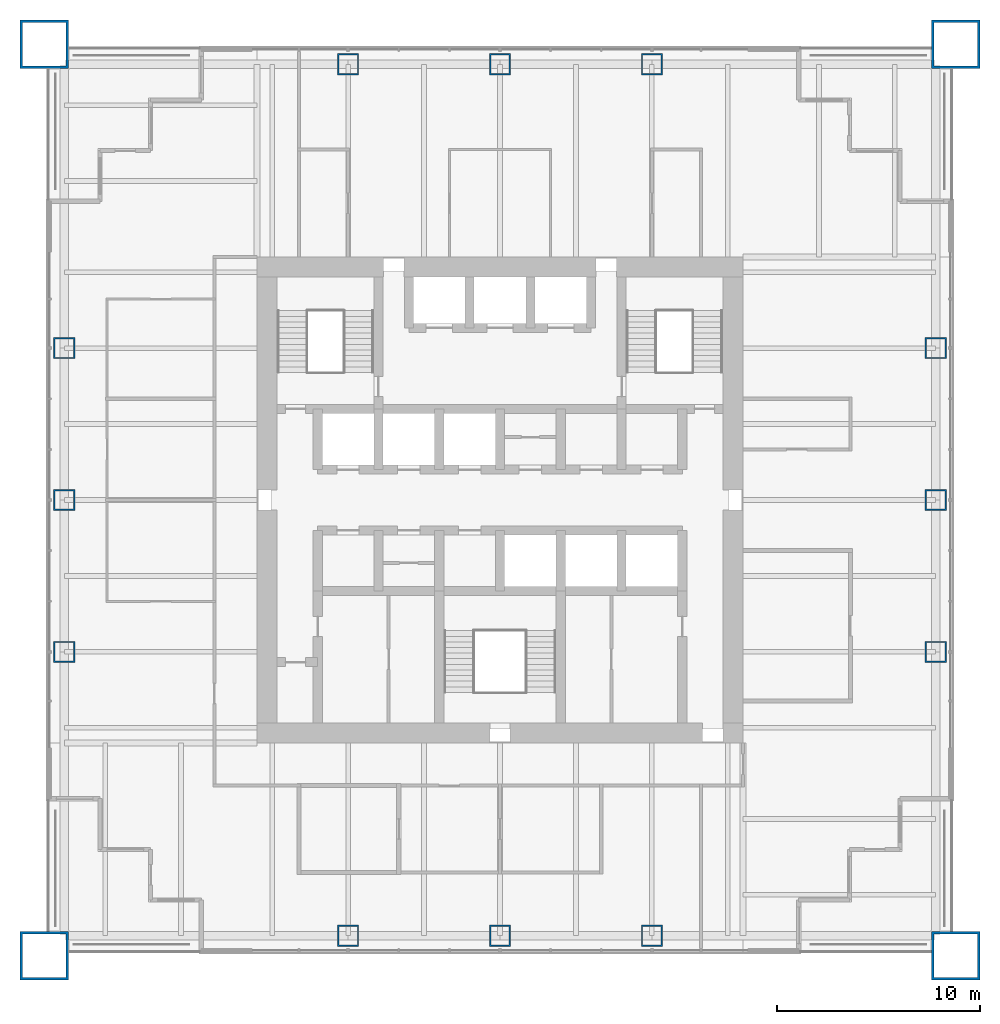
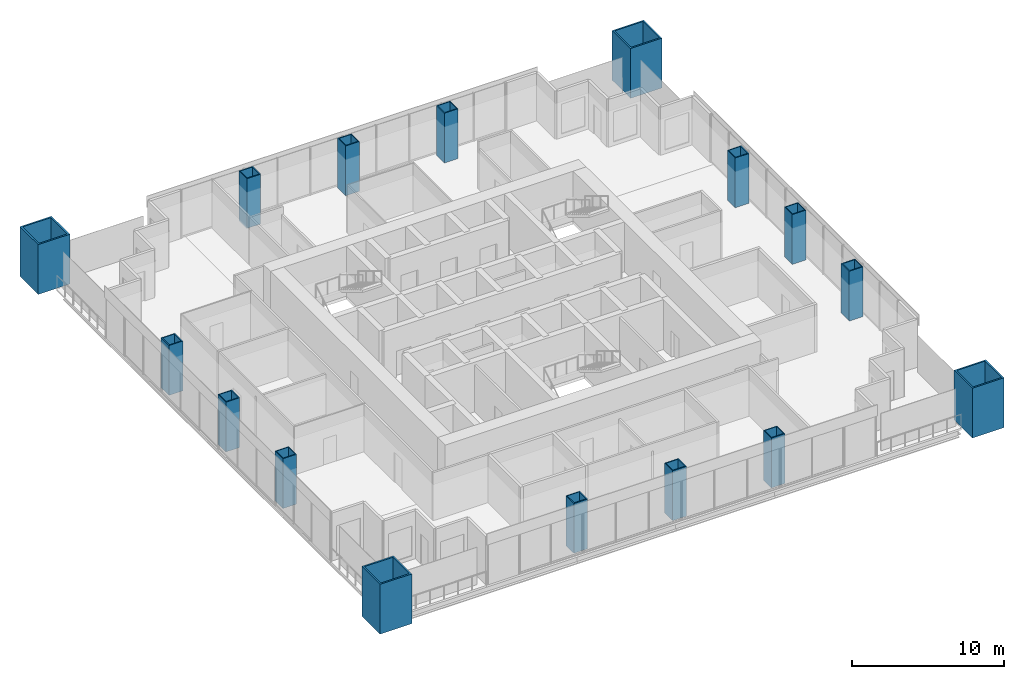
# One storey, part 1 of 13: 16 columns.
"""IFC4 building model written with IfcOpenShell, lengths in metres."""

from ifc_helpers import new_model, si_unit, direction, frame, origin, origin_2d, place, context, subcontext, project, spatial, hollow_rectangle, extrude, material, material_profile, profile_set, type_object, element, save


model = new_model("IFC4")

# Units and contexts
model_context = context("Model", 3, precision=1e-05, world=origin(), true_north=direction((0.0, 1.0)))
body_context = subcontext(model_context, "Body", "Model", "MODEL_VIEW")
ifc_project = project(units=[si_unit("LENGTHUNIT", "METRE"), si_unit("AREAUNIT", "SQUARE_METRE"), si_unit("VOLUMEUNIT", "CUBIC_METRE"), si_unit("PLANEANGLEUNIT", "RADIAN"), si_unit("MASSUNIT", "GRAM", prefix="KILO")], contexts=[model_context])

# Site, building, storey
site_placement = place(None, origin())
site = spatial("IfcSite", under=ifc_project, at=site_placement, CompositionType="ELEMENT")
building_placement = place(site_placement, origin())
building = spatial("IfcBuilding", under=site, at=building_placement, Name="Tarangal Relay Tower", CompositionType="ELEMENT")
storey_placement = place(building_placement, frame((0.0, 0.0, 245.89990234375)))
storey = spatial("IfcBuildingStorey", under=building, at=storey_placement, Name="L53", CompositionType="ELEMENT", Elevation=245.89990234375)

# Columns
ifc_material_1 = material(Name="Steel ASTM A572 Grade 42", Category="steel")
ifc_material_profile_1 = material_profile(ifc_material_1, hollow_rectangle(XDim=2.39990234375, YDim=2.39990234375, WallThickness=0.1201171875, at=origin_2d()), Name="BOX2400X2400X120")
ifc_profile_set_1 = profile_set([ifc_material_profile_1], Name="Steel ASTM A572 Grade 42")
column_type_1 = type_object("IfcColumnType", Name="Mega column BOX2400X2400X120", PredefinedType="COLUMN", material=ifc_profile_set_1)
for number, where, z_axis, x_axis, name in (
    (1, (22.5, 22.5, 0.0), (0.0, 0.0, 1.0), (1.0, 0.0, 0.0), "Mega column MC3 NE L53"),
    (2, (22.5, -22.5, 0.0), (0.0, 0.0, 1.0), (1.0, 0.0, 0.0), "Mega column MC3 SE L53"),
    (3, (-22.5, -22.5, 0.0), (0.0, 0.0, 1.0), (1.0, 0.0, 0.0), "Mega column MC3 SW L53"),
    (4, (-22.5, 22.5, 0.0), (0.0, 0.0, 1.0), (1.0, 0.0, 0.0), "Mega column MC3 NW L53"),
):
    element("IfcColumn", number, at=place(storey_placement, frame(where, z_axis=z_axis, x_axis=x_axis)), inside=storey, type_object=column_type_1, Name=name, PredefinedType="COLUMN", context=body_context, shape_type="SweptSolid", body=[
        extrude(hollow_rectangle(XDim=2.39990234375, YDim=2.39990234375, WallThickness=0.1201171875, at=origin_2d()), origin(), (0.0, 0.0, 1.0), 4.0),
    ])
ifc_material_2 = material(Name="Steel ASTM A572 Grade 50", Category="steel")
ifc_material_profile_2 = material_profile(ifc_material_2, hollow_rectangle(XDim=1.050048828125, YDim=1.050048828125, WallThickness=0.070068359375, at=origin_2d()), Name="BOX1050X1050X70")
ifc_profile_set_2 = profile_set([ifc_material_profile_2], Name="Steel ASTM A572 Grade 50")
column_type_2 = type_object("IfcColumnType", Name="Perimeter column BOX1050X1050X70", PredefinedType="COLUMN", material=ifc_profile_set_2)
for number, where, z_axis, x_axis, name in (
    (5, (-7.5, 21.514892578125, 0.0), (0.0, 0.0, 1.0), (1.0, 0.0, 0.0), "Perimeter column PC4 N L53"),
    (6, (0.0, 21.514892578125, 0.0), (0.0, 0.0, 1.0), (1.0, 0.0, 0.0), "Perimeter column PC4 N L53"),
    (7, (7.5, 21.514892578125, 0.0), (0.0, 0.0, 1.0), (1.0, 0.0, 0.0), "Perimeter column PC4 N L53"),
    (8, (21.514892578125, 7.5, 0.0), (0.0, 0.0, 1.0), (1.0, 0.0, 0.0), "Perimeter column PC4 E L53"),
    (9, (21.514892578125, 0.0, 0.0), (0.0, 0.0, 1.0), (1.0, 0.0, 0.0), "Perimeter column PC4 E L53"),
    (10, (21.514892578125, -7.5, 0.0), (0.0, 0.0, 1.0), (1.0, 0.0, 0.0), "Perimeter column PC4 E L53"),
    (11, (7.5, -21.514892578125, 0.0), (0.0, 0.0, 1.0), (1.0, 0.0, 0.0), "Perimeter column PC4 S L53"),
    (12, (0.0, -21.514892578125, 0.0), (0.0, 0.0, 1.0), (1.0, 0.0, 0.0), "Perimeter column PC4 S L53"),
    (13, (-7.5, -21.514892578125, 0.0), (0.0, 0.0, 1.0), (1.0, 0.0, 0.0), "Perimeter column PC4 S L53"),
    (14, (-21.514892578125, -7.5, 0.0), (0.0, 0.0, 1.0), (1.0, 0.0, 0.0), "Perimeter column PC4 W L53"),
    (15, (-21.514892578125, 0.0, 0.0), (0.0, 0.0, 1.0), (1.0, 0.0, 0.0), "Perimeter column PC4 W L53"),
    (16, (-21.514892578125, 7.5, 0.0), (0.0, 0.0, 1.0), (1.0, 0.0, 0.0), "Perimeter column PC4 W L53"),
):
    element("IfcColumn", number, at=place(storey_placement, frame(where, z_axis=z_axis, x_axis=x_axis)), inside=storey, type_object=column_type_2, Name=name, PredefinedType="COLUMN", context=body_context, shape_type="SweptSolid", body=[
        extrude(hollow_rectangle(XDim=1.050048828125, YDim=1.050048828125, WallThickness=0.070068359375, at=origin_2d()), origin(), (0.0, 0.0, 1.0), 4.0),
    ])

save(model, "model.ifc")
